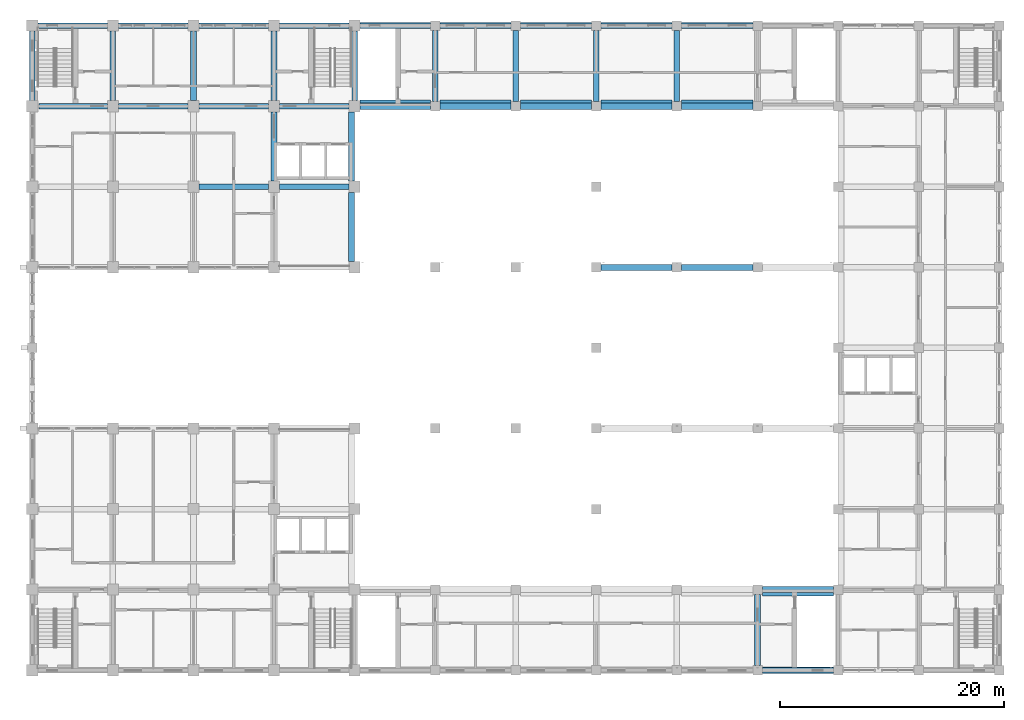
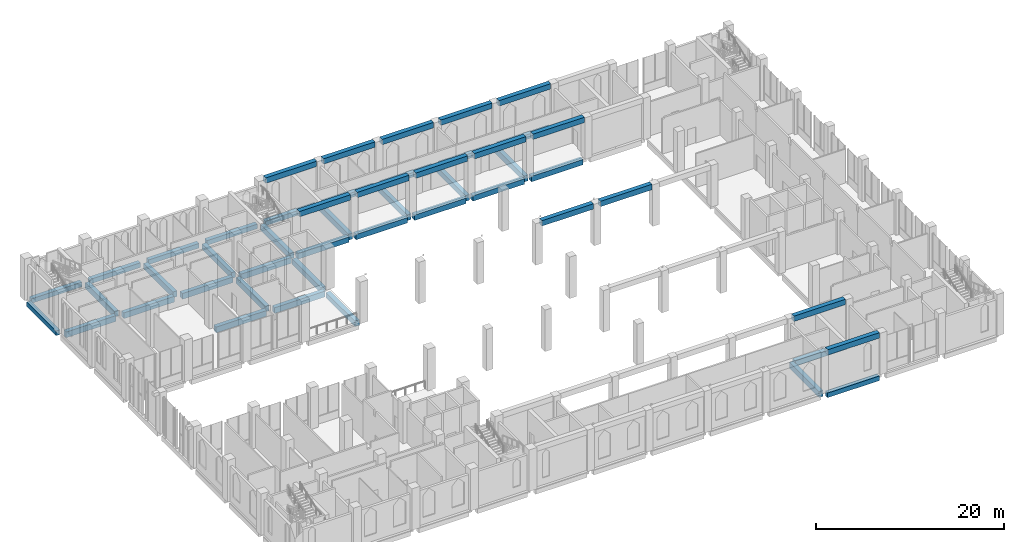
# One storey, part 11 of 48: 49 beams.
"""IFC4 building model written with IfcOpenShell, lengths in metres."""

from ifc_helpers import new_model, si_unit, direction, frame, origin, origin_2d, place, context, subcontext, project, spatial, rectangle, extrude, material, material_profile, profile_set, type_object, element, save


model = new_model("IFC4")

# Units and contexts
model_context = context("Model", 3, precision=1e-05, world=origin(), true_north=direction((0.0, 1.0)))
body_context = subcontext(model_context, "Body", "Model", "MODEL_VIEW")
ifc_project = project(units=[si_unit("LENGTHUNIT", "METRE"), si_unit("AREAUNIT", "SQUARE_METRE"), si_unit("VOLUMEUNIT", "CUBIC_METRE"), si_unit("PLANEANGLEUNIT", "RADIAN"), si_unit("MASSUNIT", "GRAM", prefix="KILO")], contexts=[model_context])

# Site, building, storey
site_placement = place(None, origin())
site = spatial("IfcSite", under=ifc_project, at=site_placement, CompositionType="ELEMENT")
building_placement = place(site_placement, origin())
building = spatial("IfcBuilding", under=site, at=building_placement, Name="Silangan Lancet Faculty of Sciences", CompositionType="ELEMENT")
storey_placement = place(building_placement, frame((0.0, 0.0, 6.0)))
storey = spatial("IfcBuildingStorey", under=building, at=storey_placement, Name="L01", CompositionType="ELEMENT", Elevation=6.0)

# Beams
ifc_material_1 = material(Name="Concrete C40/50", Category="concrete")
ifc_material_profile_1 = material_profile(ifc_material_1, rectangle(XDim=0.5, YDim=0.60009765625, at=origin_2d()), Name="RC 500x600")
ifc_profile_set_1 = profile_set([ifc_material_profile_1], Name="Concrete C40/50")
beam_type_1 = type_object("IfcBeamType", Name="BEAM RC 500x600", PredefinedType="BEAM", material=ifc_profile_set_1)
beam_1_placement = place(storey_placement, frame((65.22509765625, 0.0, -0.550048828125), z_axis=(1.0, 0.0, 0.0), x_axis=(0.0, 1.0, 0.0)))
element("IfcBeam", 1, at=beam_1_placement, inside=storey, type_object=beam_type_1, Name="BM-L01-10A-11A", PredefinedType="BEAM", context=body_context, shape_type="SweptSolid", body=[
    extrude(rectangle(XDim=0.5, YDim=0.60009765625, at=origin_2d()), origin(), (0.0, 0.0, 1.0), 6.349853515625),
])
for number, where, z_axis, x_axis, name in (
    (2, (0.5, 57.60009765625, -0.550048828125), (1.0, 0.0, 0.0), (0.0, 1.0, 0.0), "BM-L01-1I-2I"),
    (3, (7.699951171875, 57.60009765625, -0.550048828125), (1.0, 0.0, 0.0), (0.0, 1.0, 0.0), "BM-L01-2I-3I"),
):
    element("IfcBeam", number, at=place(storey_placement, frame(where, z_axis=z_axis, x_axis=x_axis)), inside=storey, type_object=beam_type_1, Name=name, PredefinedType="BEAM", context=body_context, shape_type="SweptSolid", body=[
        extrude(rectangle(XDim=0.5, YDim=0.60009765625, at=origin_2d()), origin(), (0.0, 0.0, 1.0), 6.199951171875),
    ])
beam_2_placement = place(storey_placement, frame((14.89990234375, 57.60009765625, -0.550048828125), z_axis=(1.0, 0.0, 0.0), x_axis=(0.0, 1.0, 0.0)))
element("IfcBeam", 4, at=beam_2_placement, inside=storey, type_object=beam_type_1, Name="BM-L01-3I-4I", PredefinedType="BEAM", context=body_context, shape_type="SweptSolid", body=[
    extrude(rectangle(XDim=0.5, YDim=0.60009765625, at=origin_2d()), origin(), (0.0, 0.0, 1.0), 6.2001953125),
])
beam_3_placement = place(storey_placement, frame((22.10009765625, 57.60009765625, -0.550048828125), z_axis=(1.0, 0.0, 0.0), x_axis=(0.0, 1.0, 0.0)))
element("IfcBeam", 5, at=beam_3_placement, inside=storey, type_object=beam_type_1, Name="BM-L01-4I-5I", PredefinedType="BEAM", context=body_context, shape_type="SweptSolid", body=[
    extrude(rectangle(XDim=0.5, YDim=0.60009765625, at=origin_2d()), origin(), (0.0, 0.0, 1.0), 6.199951171875),
])
beam_4_placement = place(storey_placement, frame((29.300048828125, 57.60009765625, -0.550048828125), z_axis=(1.0, 0.0, 0.0), x_axis=(0.0, 1.0, 0.0)))
element("IfcBeam", 6, at=beam_4_placement, inside=storey, type_object=beam_type_1, Name="BM-L01-5I-6I", PredefinedType="BEAM", context=body_context, shape_type="SweptSolid", body=[
    extrude(rectangle(XDim=0.5, YDim=0.60009765625, at=origin_2d()), origin(), (0.0, 0.0, 1.0), 6.27490234375),
])
beam_5_placement = place(storey_placement, frame((36.425048828125, 57.60009765625, -0.550048828125), z_axis=(1.0, 0.0, 0.0), x_axis=(0.0, 1.0, 0.0)))
element("IfcBeam", 7, at=beam_5_placement, inside=storey, type_object=beam_type_1, Name="BM-L01-6I-7I", PredefinedType="BEAM", context=body_context, shape_type="SweptSolid", body=[
    extrude(rectangle(XDim=0.5, YDim=0.60009765625, at=origin_2d()), origin(), (0.0, 0.0, 1.0), 6.349853515625),
])
for number, where, z_axis, x_axis, name in (
    (8, (43.625, 57.60009765625, -0.550048828125), (1.0, 0.0, 0.0), (0.0, 1.0, 0.0), "BM-L01-7I-8I"),
    (9, (50.824951171875, 57.60009765625, -0.550048828125), (1.0, 0.0, 0.0), (0.0, 1.0, 0.0), "BM-L01-8I-9I"),
    (10, (58.02490234375, 57.60009765625, -0.550048828125), (1.0, 0.0, 0.0), (0.0, 1.0, 0.0), "BM-L01-9I-10I"),
):
    element("IfcBeam", number, at=place(storey_placement, frame(where, z_axis=z_axis, x_axis=x_axis)), inside=storey, type_object=beam_type_1, Name=name, PredefinedType="BEAM", context=body_context, shape_type="SweptSolid", body=[
        extrude(rectangle(XDim=0.5, YDim=0.60009765625, at=origin_2d()), origin(), (0.0, 0.0, 1.0), 6.35009765625),
    ])
beam_6_placement = place(storey_placement, frame((0.0, 50.85009765625, -0.550048828125), z_axis=(0.0, 1.0, 0.0), x_axis=(-1.0, 0.0, 0.0)))
element("IfcBeam", 11, at=beam_6_placement, inside=storey, type_object=beam_type_1, Name="BM-L01-1H-1I", PredefinedType="BEAM", context=body_context, shape_type="SweptSolid", body=[
    extrude(rectangle(XDim=0.5, YDim=0.60009765625, at=origin_2d()), origin(), (0.0, 0.0, 1.0), 6.25),
])
ifc_material_2 = material(Name="Concrete C40/50", Category="concrete")
ifc_material_profile_2 = material_profile(ifc_material_2, rectangle(XDim=0.5, YDim=0.75, at=origin_2d()), Name="RC 500x750")
ifc_profile_set_2 = profile_set([ifc_material_profile_2], Name="Concrete C40/50")
beam_type_2 = type_object("IfcBeamType", Name="BEAM RC 500x750", PredefinedType="BEAM", material=ifc_profile_set_2)
beam_7_placement = place(storey_placement, frame((14.89990234375, 43.199951171875, -0.625), z_axis=(1.0, 0.0, 0.0), x_axis=(0.0, 1.0, 0.0)))
element("IfcBeam", 12, at=beam_7_placement, inside=storey, type_object=beam_type_2, Name="BM-L01-3G-4G", PredefinedType="BEAM", context=body_context, shape_type="SweptSolid", body=[
    extrude(rectangle(XDim=0.5, YDim=0.75, at=origin_2d()), origin(), (0.0, 0.0, 1.0), 6.2001953125),
])
beam_8_placement = place(storey_placement, frame((22.10009765625, 43.199951171875, -0.625), z_axis=(1.0, 0.0, 0.0), x_axis=(0.0, 1.0, 0.0)))
element("IfcBeam", 13, at=beam_8_placement, inside=storey, type_object=beam_type_2, Name="BM-L01-4G-5G", PredefinedType="BEAM", context=body_context, shape_type="SweptSolid", body=[
    extrude(rectangle(XDim=0.5, YDim=0.75, at=origin_2d()), origin(), (0.0, 0.0, 1.0), 6.199951171875),
])
beam_9_placement = place(storey_placement, frame((0.60009765625, 50.39990234375, -0.625), z_axis=(1.0, 0.0, 0.0), x_axis=(0.0, 1.0, 0.0)))
element("IfcBeam", 14, at=beam_9_placement, inside=storey, type_object=beam_type_2, Name="BM-L01-1H-2H", PredefinedType="BEAM", context=body_context, shape_type="SweptSolid", body=[
    extrude(rectangle(XDim=0.5, YDim=0.75, at=origin_2d()), origin(), (0.0, 0.0, 1.0), 6.099853515625),
])
beam_10_placement = place(storey_placement, frame((7.699951171875, 50.39990234375, -0.625), z_axis=(1.0, 0.0, 0.0), x_axis=(0.0, 1.0, 0.0)))
element("IfcBeam", 15, at=beam_10_placement, inside=storey, type_object=beam_type_2, Name="BM-L01-2H-3H", PredefinedType="BEAM", context=body_context, shape_type="SweptSolid", body=[
    extrude(rectangle(XDim=0.5, YDim=0.75, at=origin_2d()), origin(), (0.0, 0.0, 1.0), 6.199951171875),
])
beam_11_placement = place(storey_placement, frame((14.89990234375, 50.39990234375, -0.625), z_axis=(1.0, 0.0, 0.0), x_axis=(0.0, 1.0, 0.0)))
element("IfcBeam", 16, at=beam_11_placement, inside=storey, type_object=beam_type_2, Name="BM-L01-3H-4H", PredefinedType="BEAM", context=body_context, shape_type="SweptSolid", body=[
    extrude(rectangle(XDim=0.5, YDim=0.75, at=origin_2d()), origin(), (0.0, 0.0, 1.0), 6.2001953125),
])
beam_12_placement = place(storey_placement, frame((22.10009765625, 50.39990234375, -0.625), z_axis=(1.0, 0.0, 0.0), x_axis=(0.0, 1.0, 0.0)))
element("IfcBeam", 17, at=beam_12_placement, inside=storey, type_object=beam_type_2, Name="BM-L01-4H-5H", PredefinedType="BEAM", context=body_context, shape_type="SweptSolid", body=[
    extrude(rectangle(XDim=0.5, YDim=0.75, at=origin_2d()), origin(), (0.0, 0.0, 1.0), 6.199951171875),
])
for number, where, z_axis, x_axis, name in (
    (18, (7.199951171875, 50.89990234375, -0.625), (0.0, 1.0, 0.0), (-1.0, 0.0, 0.0), "BM-L01-2H-2I"),
    (19, (14.39990234375, 50.89990234375, -0.625), (0.0, 1.0, 0.0), (-1.0, 0.0, 0.0), "BM-L01-3H-3I"),
):
    element("IfcBeam", number, at=place(storey_placement, frame(where, z_axis=z_axis, x_axis=x_axis)), inside=storey, type_object=beam_type_2, Name=name, PredefinedType="BEAM", context=body_context, shape_type="SweptSolid", body=[
        extrude(rectangle(XDim=0.5, YDim=0.75, at=origin_2d()), origin(), (0.0, 0.0, 1.0), 6.2001953125),
    ])
beam_13_placement = place(storey_placement, frame((21.60009765625, 43.699951171875, -0.625), z_axis=(0.0, 1.0, 0.0), x_axis=(-1.0, 0.0, 0.0)))
element("IfcBeam", 20, at=beam_13_placement, inside=storey, type_object=beam_type_2, Name="BM-L01-4G-4H", PredefinedType="BEAM", context=body_context, shape_type="SweptSolid", body=[
    extrude(rectangle(XDim=0.5, YDim=0.75, at=origin_2d()), origin(), (0.0, 0.0, 1.0), 6.199951171875),
])
for number, where, z_axis, x_axis, name in (
    (21, (21.60009765625, 50.89990234375, -0.625), (0.0, 1.0, 0.0), (-1.0, 0.0, 0.0), "BM-L01-4H-4I"),
    (22, (28.800048828125, 50.89990234375, -0.625), (0.0, 1.0, 0.0), (-1.0, 0.0, 0.0), "BM-L01-5H-5I"),
):
    element("IfcBeam", number, at=place(storey_placement, frame(where, z_axis=z_axis, x_axis=x_axis)), inside=storey, type_object=beam_type_2, Name=name, PredefinedType="BEAM", context=body_context, shape_type="SweptSolid", body=[
        extrude(rectangle(XDim=0.5, YDim=0.75, at=origin_2d()), origin(), (0.0, 0.0, 1.0), 6.2001953125),
    ])
for number, where, z_axis, x_axis, name in (
    (23, (36.0, 50.824951171875, -0.625), (0.0, 1.0, 0.0), (-1.0, 0.0, 0.0), "BM-L01-6H-6I"),
    (24, (43.199951171875, 50.824951171875, -0.625), (0.0, 1.0, 0.0), (-1.0, 0.0, 0.0), "BM-L01-7H-7I"),
    (25, (50.39990234375, 50.824951171875, -0.625), (0.0, 1.0, 0.0), (-1.0, 0.0, 0.0), "BM-L01-8H-8I"),
    (26, (57.60009765625, 50.824951171875, -0.625), (0.0, 1.0, 0.0), (-1.0, 0.0, 0.0), "BM-L01-9H-9I"),
):
    element("IfcBeam", number, at=place(storey_placement, frame(where, z_axis=z_axis, x_axis=x_axis)), inside=storey, type_object=beam_type_2, Name=name, PredefinedType="BEAM", context=body_context, shape_type="SweptSolid", body=[
        extrude(rectangle(XDim=0.5, YDim=0.75, at=origin_2d()), origin(), (0.0, 0.0, 1.0), 6.35009765625),
    ])
beam_14_placement = place(storey_placement, frame((64.800048828125, 0.425048828125, -0.625), z_axis=(0.0, 1.0, 0.0), x_axis=(-1.0, 0.0, 0.0)))
element("IfcBeam", 27, at=beam_14_placement, inside=storey, type_object=beam_type_2, Name="BM-L01-10A-10B", PredefinedType="BEAM", context=body_context, shape_type="SweptSolid", body=[
    extrude(rectangle(XDim=0.5, YDim=0.75, at=origin_2d()), origin(), (0.0, 0.0, 1.0), 6.349853515625),
])
ifc_material_3 = material(Name="Concrete C40/50", Category="concrete")
ifc_material_profile_3 = material_profile(ifc_material_3, rectangle(XDim=0.550048828125, YDim=0.699951171875, at=origin_2d()), Name="RC 550x700")
ifc_profile_set_3 = profile_set([ifc_material_profile_3], Name="Concrete C40/50")
beam_type_3 = type_object("IfcBeamType", Name="BEAM RC 550x700", PredefinedType="BEAM", material=ifc_profile_set_3)
beam_15_placement = place(storey_placement, frame((65.22509765625, 6.925048828125, -0.60009765625), z_axis=(1.0, 0.0, 0.0), x_axis=(0.0, 1.0, 0.0)))
element("IfcBeam", 28, at=beam_15_placement, inside=storey, type_object=beam_type_3, Name="BM-L01-10B-11B", PredefinedType="BEAM", context=body_context, shape_type="SweptSolid", body=[
    extrude(rectangle(XDim=0.550048828125, YDim=0.699951171875, at=origin_2d()), origin(), (0.0, 0.0, 1.0), 6.349853515625),
])
beam_16_placement = place(storey_placement, frame((29.300048828125, 50.675048828125, -0.60009765625), z_axis=(1.0, 0.0, 0.0), x_axis=(0.0, 1.0, 0.0)))
element("IfcBeam", 29, at=beam_16_placement, inside=storey, type_object=beam_type_3, Name="BM-L01-5H-6H", PredefinedType="BEAM", context=body_context, shape_type="SweptSolid", body=[
    extrude(rectangle(XDim=0.550048828125, YDim=0.699951171875, at=origin_2d()), origin(), (0.0, 0.0, 1.0), 6.27490234375),
])
beam_17_placement = place(storey_placement, frame((36.425048828125, 50.675048828125, -0.60009765625), z_axis=(1.0, 0.0, 0.0), x_axis=(0.0, 1.0, 0.0)))
element("IfcBeam", 30, at=beam_17_placement, inside=storey, type_object=beam_type_3, Name="BM-L01-6H-7H", PredefinedType="BEAM", context=body_context, shape_type="SweptSolid", body=[
    extrude(rectangle(XDim=0.550048828125, YDim=0.699951171875, at=origin_2d()), origin(), (0.0, 0.0, 1.0), 6.349853515625),
])
for number, where, z_axis, x_axis, name in (
    (31, (43.625, 50.675048828125, -0.60009765625), (1.0, 0.0, 0.0), (0.0, 1.0, 0.0), "BM-L01-7H-8H"),
    (32, (50.824951171875, 50.675048828125, -0.60009765625), (1.0, 0.0, 0.0), (0.0, 1.0, 0.0), "BM-L01-8H-9H"),
    (33, (58.02490234375, 50.675048828125, -0.60009765625), (1.0, 0.0, 0.0), (0.0, 1.0, 0.0), "BM-L01-9H-10H"),
):
    element("IfcBeam", number, at=place(storey_placement, frame(where, z_axis=z_axis, x_axis=x_axis)), inside=storey, type_object=beam_type_3, Name=name, PredefinedType="BEAM", context=body_context, shape_type="SweptSolid", body=[
        extrude(rectangle(XDim=0.550048828125, YDim=0.699951171875, at=origin_2d()), origin(), (0.0, 0.0, 1.0), 6.35009765625),
    ])
for number, where, z_axis, x_axis, name in (
    (34, (28.52490234375, 36.5, -0.60009765625), (0.0, 1.0, 0.0), (-1.0, 0.0, 0.0), "BM-L01-5F-5G"),
    (35, (28.52490234375, 43.699951171875, -0.60009765625), (0.0, 1.0, 0.0), (-1.0, 0.0, 0.0), "BM-L01-5G-5H"),
):
    element("IfcBeam", number, at=place(storey_placement, frame(where, z_axis=z_axis, x_axis=x_axis)), inside=storey, type_object=beam_type_3, Name=name, PredefinedType="BEAM", context=body_context, shape_type="SweptSolid", body=[
        extrude(rectangle(XDim=0.550048828125, YDim=0.699951171875, at=origin_2d()), origin(), (0.0, 0.0, 1.0), 6.199951171875),
    ])
for number, where, z_axis, x_axis, name in (
    (36, (65.22509765625, 0.0, 5.050048828125), (1.0, 0.0, 0.0), (0.0, 1.0, 0.0), "RB-L01-10A-11A"),
    (37, (65.22509765625, 7.199951171875, 5.050048828125), (1.0, 0.0, 0.0), (0.0, 1.0, 0.0), "RB-L01-10B-11B"),
):
    element("IfcBeam", number, at=place(storey_placement, frame(where, z_axis=z_axis, x_axis=x_axis)), inside=storey, type_object=beam_type_3, Name=name, PredefinedType="BEAM", context=body_context, shape_type="SweptSolid", body=[
        extrude(rectangle(XDim=0.550048828125, YDim=0.699951171875, at=origin_2d()), origin(), (0.0, 0.0, 1.0), 6.349853515625),
    ])
for number, where, z_axis, x_axis, name in (
    (38, (50.824951171875, 36.0, 5.050048828125), (1.0, 0.0, 0.0), (0.0, 1.0, 0.0), "RB-L01-8F-9F"),
    (39, (58.02490234375, 36.0, 5.050048828125), (1.0, 0.0, 0.0), (0.0, 1.0, 0.0), "RB-L01-9F-10F"),
):
    element("IfcBeam", number, at=place(storey_placement, frame(where, z_axis=z_axis, x_axis=x_axis)), inside=storey, type_object=beam_type_3, Name=name, PredefinedType="BEAM", context=body_context, shape_type="SweptSolid", body=[
        extrude(rectangle(XDim=0.550048828125, YDim=0.699951171875, at=origin_2d()), origin(), (0.0, 0.0, 1.0), 6.35009765625),
    ])
beam_18_placement = place(storey_placement, frame((29.300048828125, 50.39990234375, 5.050048828125), z_axis=(1.0, 0.0, 0.0), x_axis=(0.0, 1.0, 0.0)))
element("IfcBeam", 40, at=beam_18_placement, inside=storey, type_object=beam_type_3, Name="RB-L01-5H-6H", PredefinedType="BEAM", context=body_context, shape_type="SweptSolid", body=[
    extrude(rectangle(XDim=0.550048828125, YDim=0.699951171875, at=origin_2d()), origin(), (0.0, 0.0, 1.0), 6.27490234375),
])
beam_19_placement = place(storey_placement, frame((36.425048828125, 50.39990234375, 5.050048828125), z_axis=(1.0, 0.0, 0.0), x_axis=(0.0, 1.0, 0.0)))
element("IfcBeam", 41, at=beam_19_placement, inside=storey, type_object=beam_type_3, Name="RB-L01-6H-7H", PredefinedType="BEAM", context=body_context, shape_type="SweptSolid", body=[
    extrude(rectangle(XDim=0.550048828125, YDim=0.699951171875, at=origin_2d()), origin(), (0.0, 0.0, 1.0), 6.349853515625),
])
for number, where, z_axis, x_axis, name in (
    (42, (43.625, 50.39990234375, 5.050048828125), (1.0, 0.0, 0.0), (0.0, 1.0, 0.0), "RB-L01-7H-8H"),
    (43, (50.824951171875, 50.39990234375, 5.050048828125), (1.0, 0.0, 0.0), (0.0, 1.0, 0.0), "RB-L01-8H-9H"),
    (44, (58.02490234375, 50.39990234375, 5.050048828125), (1.0, 0.0, 0.0), (0.0, 1.0, 0.0), "RB-L01-9H-10H"),
):
    element("IfcBeam", number, at=place(storey_placement, frame(where, z_axis=z_axis, x_axis=x_axis)), inside=storey, type_object=beam_type_3, Name=name, PredefinedType="BEAM", context=body_context, shape_type="SweptSolid", body=[
        extrude(rectangle(XDim=0.550048828125, YDim=0.699951171875, at=origin_2d()), origin(), (0.0, 0.0, 1.0), 6.35009765625),
    ])
beam_20_placement = place(storey_placement, frame((29.300048828125, 57.60009765625, 5.050048828125), z_axis=(1.0, 0.0, 0.0), x_axis=(0.0, 1.0, 0.0)))
element("IfcBeam", 45, at=beam_20_placement, inside=storey, type_object=beam_type_3, Name="RB-L01-5I-6I", PredefinedType="BEAM", context=body_context, shape_type="SweptSolid", body=[
    extrude(rectangle(XDim=0.550048828125, YDim=0.699951171875, at=origin_2d()), origin(), (0.0, 0.0, 1.0), 6.27490234375),
])
beam_21_placement = place(storey_placement, frame((36.425048828125, 57.60009765625, 5.050048828125), z_axis=(1.0, 0.0, 0.0), x_axis=(0.0, 1.0, 0.0)))
element("IfcBeam", 46, at=beam_21_placement, inside=storey, type_object=beam_type_3, Name="RB-L01-6I-7I", PredefinedType="BEAM", context=body_context, shape_type="SweptSolid", body=[
    extrude(rectangle(XDim=0.550048828125, YDim=0.699951171875, at=origin_2d()), origin(), (0.0, 0.0, 1.0), 6.349853515625),
])
for number, where, z_axis, x_axis, name in (
    (47, (43.625, 57.60009765625, 5.050048828125), (1.0, 0.0, 0.0), (0.0, 1.0, 0.0), "RB-L01-7I-8I"),
    (48, (50.824951171875, 57.60009765625, 5.050048828125), (1.0, 0.0, 0.0), (0.0, 1.0, 0.0), "RB-L01-8I-9I"),
    (49, (58.02490234375, 57.60009765625, 5.050048828125), (1.0, 0.0, 0.0), (0.0, 1.0, 0.0), "RB-L01-9I-10I"),
):
    element("IfcBeam", number, at=place(storey_placement, frame(where, z_axis=z_axis, x_axis=x_axis)), inside=storey, type_object=beam_type_3, Name=name, PredefinedType="BEAM", context=body_context, shape_type="SweptSolid", body=[
        extrude(rectangle(XDim=0.550048828125, YDim=0.699951171875, at=origin_2d()), origin(), (0.0, 0.0, 1.0), 6.35009765625),
    ])

save(model, "model.ifc")
